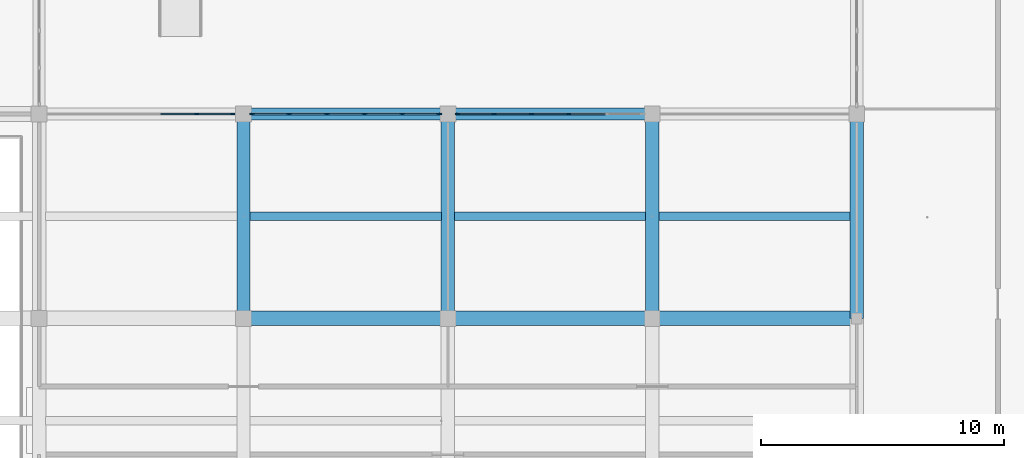
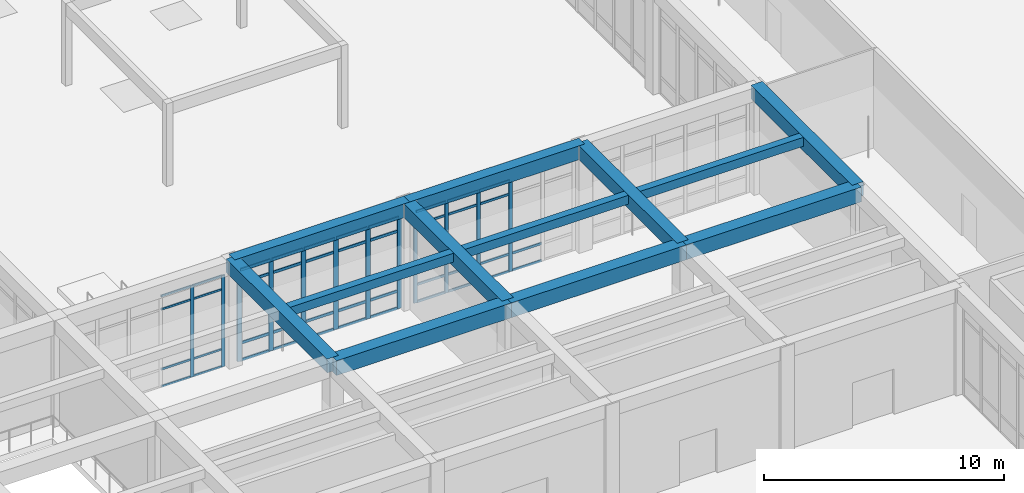
# One storey, part 15 of 167: 54 members, 12 beams, 3 elements without a shape of their own.
"""IFC4 building model written with IfcOpenShell, lengths in metres."""

from ifc_helpers import new_model, si_unit, direction, frame, origin, origin_2d, place, context, subcontext, project, spatial, rectangle, extrude, material, material_profile, profile_set, type_object, element, aggregate, save


model = new_model("IFC4")

# Units and contexts
model_context = context("Model", 3, precision=1e-05, world=origin(), true_north=direction((0.0, 1.0)))
body_context = subcontext(model_context, "Body", "Model", "MODEL_VIEW")
ifc_project = project(units=[si_unit("LENGTHUNIT", "METRE"), si_unit("AREAUNIT", "SQUARE_METRE"), si_unit("VOLUMEUNIT", "CUBIC_METRE"), si_unit("PLANEANGLEUNIT", "RADIAN"), si_unit("MASSUNIT", "GRAM", prefix="KILO")], contexts=[model_context])

# Site, building, storey
site_placement = place(None, origin())
site = spatial("IfcSite", under=ifc_project, at=site_placement, CompositionType="ELEMENT")
building_placement = place(site_placement, origin())
building = spatial("IfcBuilding", under=site, at=building_placement, Name="Varncliffe General Hospital", CompositionType="ELEMENT")
storey_placement = place(building_placement, origin())
storey = spatial("IfcBuildingStorey", under=building, at=storey_placement, Name="L00", CompositionType="ELEMENT", Elevation=0.0)

# Beams
ifc_material_1 = material(Name="Concrete C35/45 (CSA A23.1 35 MPa)", Category="concrete")
ifc_material_profile_1 = material_profile(ifc_material_1, rectangle(XDim=0.60009765625, YDim=0.75, at=origin_2d()), Name="RC 600x750")
ifc_profile_set_1 = profile_set([ifc_material_profile_1], Name="Concrete C35/45 (CSA A23.1 35 MPa)")
beam_type_1 = type_object("IfcBeamType", Name="Beam B23 (Int RC 600x750)", PredefinedType="BEAM", material=ifc_profile_set_1)
for number, where, z_axis, x_axis, name in (
    (1, (33.60009765625, 32.39990234375, 5.02490234375), (1.0, 0.0, 0.0), (0.0, 1.0, 0.0), "L00 Primary Beam B23-44"),
    (2, (42.0, 32.39990234375, 5.02490234375), (1.0, 0.0, 0.0), (0.0, 1.0, 0.0), "L00 Primary Beam B23-45"),
):
    element("IfcBeam", number, at=place(storey_placement, frame(where, z_axis=z_axis, x_axis=x_axis)), inside=storey, type_object=beam_type_1, Name=name, PredefinedType="BEAM", context=body_context, shape_type="SweptSolid", body=[
        extrude(rectangle(XDim=0.60009765625, YDim=0.75, at=origin_2d()), origin(), (0.0, 0.0, 1.0), 8.39990234375),
    ])
beam_placement = place(storey_placement, frame((50.39990234375, 32.39990234375, 5.02490234375), z_axis=(1.0, 0.0, 0.0), x_axis=(0.0, 1.0, 0.0)))
element("IfcBeam", 3, at=beam_placement, inside=storey, type_object=beam_type_1, Name="L00 Primary Beam B23-46", PredefinedType="BEAM", context=body_context, shape_type="SweptSolid", body=[
    extrude(rectangle(XDim=0.60009765625, YDim=0.75, at=origin_2d()), origin(), (0.0, 0.0, 1.0), 8.400146484375),
])
ifc_material_profile_2 = material_profile(ifc_material_1, rectangle(XDim=0.550048828125, YDim=0.699951171875, at=origin_2d()), Name="RC 550x700")
ifc_profile_set_2 = profile_set([ifc_material_profile_2], Name="Concrete C35/45 (CSA A23.1 35 MPa)")
beam_type_2 = type_object("IfcBeamType", Name="Beam B35 (Int RC 550x700)", PredefinedType="BEAM", material=ifc_profile_set_2)
for number, where, z_axis, x_axis, name in (
    (4, (33.60009765625, 32.39990234375, 5.050048828125), (0.0, 1.0, 0.0), (-1.0, 0.0, 0.0), "L00 Primary Beam B35-326"),
    (5, (42.0, 32.39990234375, 5.050048828125), (0.0, 1.0, 0.0), (-1.0, 0.0, 0.0), "L00 Primary Beam B35-335"),
    (6, (50.39990234375, 32.39990234375, 5.050048828125), (0.0, 1.0, 0.0), (-1.0, 0.0, 0.0), "L00 Primary Beam B35-344"),
    (7, (58.800048828125, 32.39990234375, 5.050048828125), (0.0, 1.0, 0.0), (-1.0, 0.0, 0.0), "L00 Primary Beam B35-355"),
):
    element("IfcBeam", number, at=place(storey_placement, frame(where, z_axis=z_axis, x_axis=x_axis)), inside=storey, type_object=beam_type_2, Name=name, PredefinedType="BEAM", context=body_context, shape_type="SweptSolid", body=[
        extrude(rectangle(XDim=0.550048828125, YDim=0.699951171875, at=origin_2d()), origin(), (0.0, 0.0, 1.0), 8.400146484375),
    ])

# Curtain wall, members
ifc_material_2 = material(Name="Triple low-E argon insulated vision glazing", Category="glass")
curtain_wall_type_1 = type_object("IfcCurtainWallType", Name="Unitised Glazed Curtain Wall CW15 (7674x4640)", PredefinedType="USERDEFINED", material=ifc_material_2)
curtain_wall_1_placement = place(storey_placement, origin())
curtain_wall_1 = element("IfcCurtainWall", 8, at=curtain_wall_1_placement, inside=storey, type_object=curtain_wall_type_1, Name="L00 Glazed Curtain Wall CW15-19", ObjectType="GLAZED CURTAIN WALL", PredefinedType="USERDEFINED")
ifc_material_3 = material(Name="Dark bronze thermally broken aluminium framing", Category="aluminium")
ifc_material_profile_3 = material_profile(ifc_material_3, rectangle(XDim=0.074951171875, YDim=0.179931640625, at=origin_2d()), Name="ALU 75x180")
ifc_profile_set_3 = profile_set([ifc_material_profile_3], Name="Dark bronze thermally broken aluminium framing")
member_type_1 = type_object("IfcMemberType", Name="Curtain Wall Mullion CM44 (ALU 75x180)", PredefinedType="MULLION", material=ifc_profile_set_3)
member_1_placement = place(storey_placement, frame((42.400390625, 40.800048828125, 0.0), z_axis=(0.0, 0.0, 1.0), x_axis=(0.0, 1.0, 0.0)))
member_1 = element("IfcMember", 9, at=member_1_placement, type_object=member_type_1, Name="CW15 mullion 1", PredefinedType="MULLION", context=body_context, shape_type="SweptSolid", body=[
    extrude(rectangle(XDim=0.074951171875, YDim=0.179931640625, at=origin_2d()), origin(), (0.0, 0.0, 1.0), 4.639892578125),
])
member_2_placement = place(storey_placement, frame((43.897705078125, 40.800048828125, 0.0), z_axis=(0.0, 0.0, 1.0), x_axis=(0.0, 1.0, 0.0)))
member_2 = element("IfcMember", 10, at=member_2_placement, type_object=member_type_1, Name="CW15 mullion 2", PredefinedType="MULLION", context=body_context, shape_type="SweptSolid", body=[
    extrude(rectangle(XDim=0.074951171875, YDim=0.179931640625, at=origin_2d()), origin(), (0.0, 0.0, 1.0), 4.639892578125),
])
member_3_placement = place(storey_placement, frame((45.4326171875, 40.800048828125, 0.0), z_axis=(0.0, 0.0, 1.0), x_axis=(0.0, 1.0, 0.0)))
member_3 = element("IfcMember", 11, at=member_3_placement, type_object=member_type_1, Name="CW15 mullion 3", PredefinedType="MULLION", context=body_context, shape_type="SweptSolid", body=[
    extrude(rectangle(XDim=0.074951171875, YDim=0.179931640625, at=origin_2d()), origin(), (0.0, 0.0, 1.0), 4.639892578125),
])
member_4_placement = place(storey_placement, frame((46.96728515625, 40.800048828125, 0.0), z_axis=(0.0, 0.0, 1.0), x_axis=(0.0, 1.0, 0.0)))
member_4 = element("IfcMember", 12, at=member_4_placement, type_object=member_type_1, Name="CW15 mullion 4", PredefinedType="MULLION", context=body_context, shape_type="SweptSolid", body=[
    extrude(rectangle(XDim=0.074951171875, YDim=0.179931640625, at=origin_2d()), origin(), (0.0, 0.0, 1.0), 4.639892578125),
])

curtain_wall_type_2 = type_object("IfcCurtainWallType", Name="Unitised Glazed Curtain Wall CW26 (7594x4640)", PredefinedType="USERDEFINED", material=ifc_material_2)
curtain_wall_2_placement = place(storey_placement, origin())
curtain_wall_2 = element("IfcCurtainWall", 13, at=curtain_wall_2_placement, inside=storey, type_object=curtain_wall_type_2, Name="L00 Glazed Curtain Wall CW26-17", ObjectType="GLAZED CURTAIN WALL", PredefinedType="USERDEFINED")
ifc_material_profile_4 = material_profile(ifc_material_3, rectangle(XDim=0.06494140625, YDim=0.159912109375, at=origin_2d()), Name="ALU 65x160")
ifc_profile_set_4 = profile_set([ifc_material_profile_4], Name="Dark bronze thermally broken aluminium framing")
member_type_2 = type_object("IfcMemberType", Name="Curtain Wall Mullion CM65 (ALU 65x160)", PredefinedType="MULLION", material=ifc_profile_set_4)
member_5_placement = place(storey_placement, frame((31.67822265625, 40.800048828125, 0.0), z_axis=(0.0, 0.0, 1.0), x_axis=(0.0, 1.0, 0.0)))
member_5 = element("IfcMember", 14, at=member_5_placement, type_object=member_type_2, Name="CW26 mullion 5", PredefinedType="MULLION", context=body_context, shape_type="SweptSolid", body=[
    extrude(rectangle(XDim=0.06494140625, YDim=0.159912109375, at=origin_2d()), origin(), (0.0, 0.0, 1.0), 4.639892578125),
])
member_6_placement = place(storey_placement, frame((33.16455078125, 40.800048828125, 0.0), z_axis=(0.0, 0.0, 1.0), x_axis=(0.0, 1.0, 0.0)))
member_6 = element("IfcMember", 15, at=member_6_placement, type_object=member_type_2, Name="CW26 mullion 6", PredefinedType="MULLION", context=body_context, shape_type="SweptSolid", body=[
    extrude(rectangle(XDim=0.06494140625, YDim=0.159912109375, at=origin_2d()), origin(), (0.0, 0.0, 1.0), 4.639892578125),
])

curtain_wall_type_3 = type_object("IfcCurtainWallType", Name="Unitised Glazed Curtain Wall CW66 (7754x4640)", PredefinedType="USERDEFINED", material=ifc_material_2)
curtain_wall_3_placement = place(storey_placement, origin())
curtain_wall_3 = element("IfcCurtainWall", 16, at=curtain_wall_3_placement, inside=storey, type_object=curtain_wall_type_3, Name="L00 Glazed Curtain Wall CW66-18", ObjectType="GLAZED CURTAIN WALL", PredefinedType="USERDEFINED")
ifc_material_profile_5 = material_profile(ifc_material_3, rectangle(XDim=0.074951171875, YDim=0.219970703125, at=origin_2d()), Name="ALU 75x220")
ifc_profile_set_5 = profile_set([ifc_material_profile_5], Name="Dark bronze thermally broken aluminium framing")
member_type_3 = type_object("IfcMemberType", Name="Curtain Wall Mullion CM74 (ALU 75x220)", PredefinedType="MULLION", material=ifc_profile_set_5)
member_7_placement = place(storey_placement, frame((33.96044921875, 40.800048828125, 0.0), z_axis=(0.0, 0.0, 1.0), x_axis=(0.0, 1.0, 0.0)))
member_7 = element("IfcMember", 17, at=member_7_placement, type_object=member_type_3, Name="CW66 mullion 1", PredefinedType="MULLION", context=body_context, shape_type="SweptSolid", body=[
    extrude(rectangle(XDim=0.074951171875, YDim=0.219970703125, at=origin_2d()), origin(), (0.0, 0.0, 1.0), 4.639892578125),
])
member_8_placement = place(storey_placement, frame((35.473876953125, 40.800048828125, 0.0), z_axis=(0.0, 0.0, 1.0), x_axis=(0.0, 1.0, 0.0)))
member_8 = element("IfcMember", 18, at=member_8_placement, type_object=member_type_3, Name="CW66 mullion 2", PredefinedType="MULLION", context=body_context, shape_type="SweptSolid", body=[
    extrude(rectangle(XDim=0.074951171875, YDim=0.219970703125, at=origin_2d()), origin(), (0.0, 0.0, 1.0), 4.639892578125),
])
member_9_placement = place(storey_placement, frame((37.024658203125, 40.800048828125, 0.0), z_axis=(0.0, 0.0, 1.0), x_axis=(0.0, 1.0, 0.0)))
member_9 = element("IfcMember", 19, at=member_9_placement, type_object=member_type_3, Name="CW66 mullion 3", PredefinedType="MULLION", context=body_context, shape_type="SweptSolid", body=[
    extrude(rectangle(XDim=0.074951171875, YDim=0.219970703125, at=origin_2d()), origin(), (0.0, 0.0, 1.0), 4.639892578125),
])
member_10_placement = place(storey_placement, frame((38.575439453125, 40.800048828125, 0.0), z_axis=(0.0, 0.0, 1.0), x_axis=(0.0, 1.0, 0.0)))
member_10 = element("IfcMember", 20, at=member_10_placement, type_object=member_type_3, Name="CW66 mullion 4", PredefinedType="MULLION", context=body_context, shape_type="SweptSolid", body=[
    extrude(rectangle(XDim=0.074951171875, YDim=0.219970703125, at=origin_2d()), origin(), (0.0, 0.0, 1.0), 4.639892578125),
])
member_11_placement = place(storey_placement, frame((40.126220703125, 40.800048828125, 0.0), z_axis=(0.0, 0.0, 1.0), x_axis=(0.0, 1.0, 0.0)))
member_11 = element("IfcMember", 21, at=member_11_placement, type_object=member_type_3, Name="CW66 mullion 5", PredefinedType="MULLION", context=body_context, shape_type="SweptSolid", body=[
    extrude(rectangle(XDim=0.074951171875, YDim=0.219970703125, at=origin_2d()), origin(), (0.0, 0.0, 1.0), 4.639892578125),
])
member_12_placement = place(storey_placement, frame((41.639404296875, 40.800048828125, 0.0), z_axis=(0.0, 0.0, 1.0), x_axis=(0.0, 1.0, 0.0)))
member_12 = element("IfcMember", 22, at=member_12_placement, type_object=member_type_3, Name="CW66 mullion 6", PredefinedType="MULLION", context=body_context, shape_type="SweptSolid", body=[
    extrude(rectangle(XDim=0.074951171875, YDim=0.219970703125, at=origin_2d()), origin(), (0.0, 0.0, 1.0), 4.639892578125),
])

# Member
ifc_material_profile_6 = material_profile(ifc_material_3, rectangle(XDim=0.06005859375, YDim=0.1201171875, at=origin_2d()), Name="ALU 60x120")
ifc_profile_set_6 = profile_set([ifc_material_profile_6], Name="Dark bronze thermally broken aluminium framing")
member_type_4 = type_object("IfcMemberType", Name="Curtain Wall Transom CT14 (ALU 60x120)", PredefinedType="USERDEFINED", material=ifc_profile_set_6)
member_13_placement = place(storey_placement, frame((42.43798828125, 40.800048828125, 0.030029296875), z_axis=(1.0, 0.0, 0.0), x_axis=(0.0, 1.0, 0.0)))
member_13 = element("IfcMember", 23, at=member_13_placement, type_object=member_type_4, Name="CW15 transom 1.1", ObjectType="TRANSOM", PredefinedType="USERDEFINED", context=body_context, shape_type="SweptSolid", body=[
    extrude(rectangle(XDim=0.06005859375, YDim=0.1201171875, at=origin_2d()), origin(), (0.0, 0.0, 1.0), 1.42236328125),
])

member_14_placement = place(storey_placement, frame((42.43798828125, 40.800048828125, 0.89990234375), z_axis=(1.0, 0.0, 0.0), x_axis=(0.0, 1.0, 0.0)))
member_14 = element("IfcMember", 24, at=member_14_placement, type_object=member_type_4, Name="CW15 transom 1.2", ObjectType="TRANSOM", PredefinedType="USERDEFINED", context=body_context, shape_type="SweptSolid", body=[
    extrude(rectangle(XDim=0.06005859375, YDim=0.1201171875, at=origin_2d()), origin(), (0.0, 0.0, 1.0), 1.42236328125),
])

member_15_placement = place(storey_placement, frame((42.43798828125, 40.800048828125, 3.93994140625), z_axis=(1.0, 0.0, 0.0), x_axis=(0.0, 1.0, 0.0)))
member_15 = element("IfcMember", 25, at=member_15_placement, type_object=member_type_4, Name="CW15 transom 1.3", ObjectType="TRANSOM", PredefinedType="USERDEFINED", context=body_context, shape_type="SweptSolid", body=[
    extrude(rectangle(XDim=0.06005859375, YDim=0.1201171875, at=origin_2d()), origin(), (0.0, 0.0, 1.0), 1.42236328125),
])

member_16_placement = place(storey_placement, frame((42.43798828125, 40.800048828125, 4.610107421875), z_axis=(1.0, 0.0, 0.0), x_axis=(0.0, 1.0, 0.0)))
member_16 = element("IfcMember", 26, at=member_16_placement, type_object=member_type_4, Name="CW15 transom 1.4", ObjectType="TRANSOM", PredefinedType="USERDEFINED", context=body_context, shape_type="SweptSolid", body=[
    extrude(rectangle(XDim=0.06005859375, YDim=0.1201171875, at=origin_2d()), origin(), (0.0, 0.0, 1.0), 1.42236328125),
])

member_17_placement = place(storey_placement, frame((43.935302734375, 40.800048828125, 0.030029296875), z_axis=(1.0, 0.0, 0.0), x_axis=(0.0, 1.0, 0.0)))
member_17 = element("IfcMember", 27, at=member_17_placement, type_object=member_type_4, Name="CW15 transom 2.1", ObjectType="TRANSOM", PredefinedType="USERDEFINED", context=body_context, shape_type="SweptSolid", body=[
    extrude(rectangle(XDim=0.06005859375, YDim=0.1201171875, at=origin_2d()), origin(), (0.0, 0.0, 1.0), 1.459716796875),
])

member_18_placement = place(storey_placement, frame((43.935302734375, 40.800048828125, 0.89990234375), z_axis=(1.0, 0.0, 0.0), x_axis=(0.0, 1.0, 0.0)))
member_18 = element("IfcMember", 28, at=member_18_placement, type_object=member_type_4, Name="CW15 transom 2.2", ObjectType="TRANSOM", PredefinedType="USERDEFINED", context=body_context, shape_type="SweptSolid", body=[
    extrude(rectangle(XDim=0.06005859375, YDim=0.1201171875, at=origin_2d()), origin(), (0.0, 0.0, 1.0), 1.459716796875),
])

member_19_placement = place(storey_placement, frame((43.935302734375, 40.800048828125, 3.93994140625), z_axis=(1.0, 0.0, 0.0), x_axis=(0.0, 1.0, 0.0)))
member_19 = element("IfcMember", 29, at=member_19_placement, type_object=member_type_4, Name="CW15 transom 2.3", ObjectType="TRANSOM", PredefinedType="USERDEFINED", context=body_context, shape_type="SweptSolid", body=[
    extrude(rectangle(XDim=0.06005859375, YDim=0.1201171875, at=origin_2d()), origin(), (0.0, 0.0, 1.0), 1.459716796875),
])

member_20_placement = place(storey_placement, frame((43.935302734375, 40.800048828125, 4.610107421875), z_axis=(1.0, 0.0, 0.0), x_axis=(0.0, 1.0, 0.0)))
member_20 = element("IfcMember", 30, at=member_20_placement, type_object=member_type_4, Name="CW15 transom 2.4", ObjectType="TRANSOM", PredefinedType="USERDEFINED", context=body_context, shape_type="SweptSolid", body=[
    extrude(rectangle(XDim=0.06005859375, YDim=0.1201171875, at=origin_2d()), origin(), (0.0, 0.0, 1.0), 1.459716796875),
])

member_21_placement = place(storey_placement, frame((45.47021484375, 40.800048828125, 0.030029296875), z_axis=(1.0, 0.0, 0.0), x_axis=(0.0, 1.0, 0.0)))
member_21 = element("IfcMember", 31, at=member_21_placement, type_object=member_type_4, Name="CW15 transom 3.1", ObjectType="TRANSOM", PredefinedType="USERDEFINED", context=body_context, shape_type="SweptSolid", body=[
    extrude(rectangle(XDim=0.06005859375, YDim=0.1201171875, at=origin_2d()), origin(), (0.0, 0.0, 1.0), 1.459716796875),
])

member_22_placement = place(storey_placement, frame((45.47021484375, 40.800048828125, 0.89990234375), z_axis=(1.0, 0.0, 0.0), x_axis=(0.0, 1.0, 0.0)))
member_22 = element("IfcMember", 32, at=member_22_placement, type_object=member_type_4, Name="CW15 transom 3.2", ObjectType="TRANSOM", PredefinedType="USERDEFINED", context=body_context, shape_type="SweptSolid", body=[
    extrude(rectangle(XDim=0.06005859375, YDim=0.1201171875, at=origin_2d()), origin(), (0.0, 0.0, 1.0), 1.459716796875),
])

member_23_placement = place(storey_placement, frame((45.47021484375, 40.800048828125, 3.93994140625), z_axis=(1.0, 0.0, 0.0), x_axis=(0.0, 1.0, 0.0)))
member_23 = element("IfcMember", 33, at=member_23_placement, type_object=member_type_4, Name="CW15 transom 3.3", ObjectType="TRANSOM", PredefinedType="USERDEFINED", context=body_context, shape_type="SweptSolid", body=[
    extrude(rectangle(XDim=0.06005859375, YDim=0.1201171875, at=origin_2d()), origin(), (0.0, 0.0, 1.0), 1.459716796875),
])

member_24_placement = place(storey_placement, frame((45.47021484375, 40.800048828125, 4.610107421875), z_axis=(1.0, 0.0, 0.0), x_axis=(0.0, 1.0, 0.0)))
member_24 = element("IfcMember", 34, at=member_24_placement, type_object=member_type_4, Name="CW15 transom 3.4", ObjectType="TRANSOM", PredefinedType="USERDEFINED", context=body_context, shape_type="SweptSolid", body=[
    extrude(rectangle(XDim=0.06005859375, YDim=0.1201171875, at=origin_2d()), origin(), (0.0, 0.0, 1.0), 1.459716796875),
])

member_25_placement = place(storey_placement, frame((47.0048828125, 40.800048828125, 0.030029296875), z_axis=(1.0, 0.0, 0.0), x_axis=(0.0, 1.0, 0.0)))
member_25 = element("IfcMember", 35, at=member_25_placement, type_object=member_type_4, Name="CW15 transom 4.1", ObjectType="TRANSOM", PredefinedType="USERDEFINED", context=body_context, shape_type="SweptSolid", body=[
    extrude(rectangle(XDim=0.06005859375, YDim=0.1201171875, at=origin_2d()), origin(), (0.0, 0.0, 1.0), 1.459716796875),
])

member_26_placement = place(storey_placement, frame((47.0048828125, 40.800048828125, 0.89990234375), z_axis=(1.0, 0.0, 0.0), x_axis=(0.0, 1.0, 0.0)))
member_26 = element("IfcMember", 36, at=member_26_placement, type_object=member_type_4, Name="CW15 transom 4.2", ObjectType="TRANSOM", PredefinedType="USERDEFINED", context=body_context, shape_type="SweptSolid", body=[
    extrude(rectangle(XDim=0.06005859375, YDim=0.1201171875, at=origin_2d()), origin(), (0.0, 0.0, 1.0), 1.459716796875),
])

aggregate(curtain_wall_1, [member_1, member_2, member_3, member_4, member_13, member_14, member_15, member_16, member_17, member_18, member_19, member_20, member_21, member_22, member_23, member_24, member_25, member_26])

ifc_material_profile_7 = material_profile(ifc_material_3, rectangle(XDim=0.06005859375, YDim=0.10009765625, at=origin_2d()), Name="ALU 60x100")
ifc_profile_set_7 = profile_set([ifc_material_profile_7], Name="Dark bronze thermally broken aluminium framing")
member_type_5 = type_object("IfcMemberType", Name="Curtain Wall Transom CT18 (ALU 60x100)", PredefinedType="USERDEFINED", material=ifc_profile_set_7)
member_27_placement = place(storey_placement, frame((30.19189453125, 40.800048828125, 0.030029296875), z_axis=(1.0, 0.0, 0.0), x_axis=(0.0, 1.0, 0.0)))
member_27 = element("IfcMember", 37, at=member_27_placement, type_object=member_type_5, Name="CW26 transom 4.1", ObjectType="TRANSOM", PredefinedType="USERDEFINED", context=body_context, shape_type="SweptSolid", body=[
    extrude(rectangle(XDim=0.06005859375, YDim=0.10009765625, at=origin_2d()), origin(), (0.0, 0.0, 1.0), 1.453857421875),
])

member_28_placement = place(storey_placement, frame((30.19189453125, 40.800048828125, 0.89990234375), z_axis=(1.0, 0.0, 0.0), x_axis=(0.0, 1.0, 0.0)))
member_28 = element("IfcMember", 38, at=member_28_placement, type_object=member_type_5, Name="CW26 transom 4.2", ObjectType="TRANSOM", PredefinedType="USERDEFINED", context=body_context, shape_type="SweptSolid", body=[
    extrude(rectangle(XDim=0.06005859375, YDim=0.10009765625, at=origin_2d()), origin(), (0.0, 0.0, 1.0), 1.453857421875),
])

member_29_placement = place(storey_placement, frame((30.19189453125, 40.800048828125, 3.93994140625), z_axis=(1.0, 0.0, 0.0), x_axis=(0.0, 1.0, 0.0)))
member_29 = element("IfcMember", 39, at=member_29_placement, type_object=member_type_5, Name="CW26 transom 4.3", ObjectType="TRANSOM", PredefinedType="USERDEFINED", context=body_context, shape_type="SweptSolid", body=[
    extrude(rectangle(XDim=0.06005859375, YDim=0.10009765625, at=origin_2d()), origin(), (0.0, 0.0, 1.0), 1.453857421875),
])

member_30_placement = place(storey_placement, frame((30.19189453125, 40.800048828125, 4.610107421875), z_axis=(1.0, 0.0, 0.0), x_axis=(0.0, 1.0, 0.0)))
member_30 = element("IfcMember", 40, at=member_30_placement, type_object=member_type_5, Name="CW26 transom 4.4", ObjectType="TRANSOM", PredefinedType="USERDEFINED", context=body_context, shape_type="SweptSolid", body=[
    extrude(rectangle(XDim=0.06005859375, YDim=0.10009765625, at=origin_2d()), origin(), (0.0, 0.0, 1.0), 1.453857421875),
])

member_31_placement = place(storey_placement, frame((31.710693359375, 40.800048828125, 0.030029296875), z_axis=(1.0, 0.0, 0.0), x_axis=(0.0, 1.0, 0.0)))
member_31 = element("IfcMember", 41, at=member_31_placement, type_object=member_type_5, Name="CW26 transom 5.1", ObjectType="TRANSOM", PredefinedType="USERDEFINED", context=body_context, shape_type="SweptSolid", body=[
    extrude(rectangle(XDim=0.06005859375, YDim=0.10009765625, at=origin_2d()), origin(), (0.0, 0.0, 1.0), 1.42138671875),
])

member_32_placement = place(storey_placement, frame((31.710693359375, 40.800048828125, 0.89990234375), z_axis=(1.0, 0.0, 0.0), x_axis=(0.0, 1.0, 0.0)))
member_32 = element("IfcMember", 42, at=member_32_placement, type_object=member_type_5, Name="CW26 transom 5.2", ObjectType="TRANSOM", PredefinedType="USERDEFINED", context=body_context, shape_type="SweptSolid", body=[
    extrude(rectangle(XDim=0.06005859375, YDim=0.10009765625, at=origin_2d()), origin(), (0.0, 0.0, 1.0), 1.42138671875),
])

member_33_placement = place(storey_placement, frame((31.710693359375, 40.800048828125, 3.93994140625), z_axis=(1.0, 0.0, 0.0), x_axis=(0.0, 1.0, 0.0)))
member_33 = element("IfcMember", 43, at=member_33_placement, type_object=member_type_5, Name="CW26 transom 5.3", ObjectType="TRANSOM", PredefinedType="USERDEFINED", context=body_context, shape_type="SweptSolid", body=[
    extrude(rectangle(XDim=0.06005859375, YDim=0.10009765625, at=origin_2d()), origin(), (0.0, 0.0, 1.0), 1.42138671875),
])

member_34_placement = place(storey_placement, frame((31.710693359375, 40.800048828125, 4.610107421875), z_axis=(1.0, 0.0, 0.0), x_axis=(0.0, 1.0, 0.0)))
member_34 = element("IfcMember", 44, at=member_34_placement, type_object=member_type_5, Name="CW26 transom 5.4", ObjectType="TRANSOM", PredefinedType="USERDEFINED", context=body_context, shape_type="SweptSolid", body=[
    extrude(rectangle(XDim=0.06005859375, YDim=0.10009765625, at=origin_2d()), origin(), (0.0, 0.0, 1.0), 1.42138671875),
])

aggregate(curtain_wall_2, [member_5, member_6, member_27, member_28, member_29, member_30, member_31, member_32, member_33, member_34])

ifc_material_profile_8 = material_profile(ifc_material_3, rectangle(XDim=0.06494140625, YDim=0.139892578125, at=origin_2d()), Name="ALU 65x140")
ifc_profile_set_8 = profile_set([ifc_material_profile_8], Name="Dark bronze thermally broken aluminium framing")
member_type_6 = type_object("IfcMemberType", Name="Curtain Wall Transom CT69 (ALU 65x140)", PredefinedType="USERDEFINED", material=ifc_profile_set_8)
member_35_placement = place(storey_placement, frame((33.998046875, 40.800048828125, 0.032470703125), z_axis=(1.0, 0.0, 0.0), x_axis=(0.0, 1.0, 0.0)))
member_35 = element("IfcMember", 45, at=member_35_placement, type_object=member_type_6, Name="CW66 transom 1.1", ObjectType="TRANSOM", PredefinedType="USERDEFINED", context=body_context, shape_type="SweptSolid", body=[
    extrude(rectangle(XDim=0.06494140625, YDim=0.139892578125, at=origin_2d()), origin(), (0.0, 0.0, 1.0), 1.438232421875),
])

member_36_placement = place(storey_placement, frame((33.998046875, 40.800048828125, 0.89990234375), z_axis=(1.0, 0.0, 0.0), x_axis=(0.0, 1.0, 0.0)))
member_36 = element("IfcMember", 46, at=member_36_placement, type_object=member_type_6, Name="CW66 transom 1.2", ObjectType="TRANSOM", PredefinedType="USERDEFINED", context=body_context, shape_type="SweptSolid", body=[
    extrude(rectangle(XDim=0.06494140625, YDim=0.139892578125, at=origin_2d()), origin(), (0.0, 0.0, 1.0), 1.438232421875),
])

member_37_placement = place(storey_placement, frame((33.998046875, 40.800048828125, 3.93994140625), z_axis=(1.0, 0.0, 0.0), x_axis=(0.0, 1.0, 0.0)))
member_37 = element("IfcMember", 47, at=member_37_placement, type_object=member_type_6, Name="CW66 transom 1.3", ObjectType="TRANSOM", PredefinedType="USERDEFINED", context=body_context, shape_type="SweptSolid", body=[
    extrude(rectangle(XDim=0.06494140625, YDim=0.139892578125, at=origin_2d()), origin(), (0.0, 0.0, 1.0), 1.438232421875),
])

member_38_placement = place(storey_placement, frame((33.998046875, 40.800048828125, 4.607421875), z_axis=(1.0, 0.0, 0.0), x_axis=(0.0, 1.0, 0.0)))
member_38 = element("IfcMember", 48, at=member_38_placement, type_object=member_type_6, Name="CW66 transom 1.4", ObjectType="TRANSOM", PredefinedType="USERDEFINED", context=body_context, shape_type="SweptSolid", body=[
    extrude(rectangle(XDim=0.06494140625, YDim=0.139892578125, at=origin_2d()), origin(), (0.0, 0.0, 1.0), 1.438232421875),
])

member_39_placement = place(storey_placement, frame((35.51123046875, 40.800048828125, 0.032470703125), z_axis=(1.0, 0.0, 0.0), x_axis=(0.0, 1.0, 0.0)))
member_39 = element("IfcMember", 49, at=member_39_placement, type_object=member_type_6, Name="CW66 transom 2.1", ObjectType="TRANSOM", PredefinedType="USERDEFINED", context=body_context, shape_type="SweptSolid", body=[
    extrude(rectangle(XDim=0.06494140625, YDim=0.139892578125, at=origin_2d()), origin(), (0.0, 0.0, 1.0), 1.475830078125),
])

member_40_placement = place(storey_placement, frame((35.51123046875, 40.800048828125, 0.89990234375), z_axis=(1.0, 0.0, 0.0), x_axis=(0.0, 1.0, 0.0)))
member_40 = element("IfcMember", 50, at=member_40_placement, type_object=member_type_6, Name="CW66 transom 2.2", ObjectType="TRANSOM", PredefinedType="USERDEFINED", context=body_context, shape_type="SweptSolid", body=[
    extrude(rectangle(XDim=0.06494140625, YDim=0.139892578125, at=origin_2d()), origin(), (0.0, 0.0, 1.0), 1.475830078125),
])

member_41_placement = place(storey_placement, frame((35.51123046875, 40.800048828125, 3.93994140625), z_axis=(1.0, 0.0, 0.0), x_axis=(0.0, 1.0, 0.0)))
member_41 = element("IfcMember", 51, at=member_41_placement, type_object=member_type_6, Name="CW66 transom 2.3", ObjectType="TRANSOM", PredefinedType="USERDEFINED", context=body_context, shape_type="SweptSolid", body=[
    extrude(rectangle(XDim=0.06494140625, YDim=0.139892578125, at=origin_2d()), origin(), (0.0, 0.0, 1.0), 1.475830078125),
])

member_42_placement = place(storey_placement, frame((35.51123046875, 40.800048828125, 4.607421875), z_axis=(1.0, 0.0, 0.0), x_axis=(0.0, 1.0, 0.0)))
member_42 = element("IfcMember", 52, at=member_42_placement, type_object=member_type_6, Name="CW66 transom 2.4", ObjectType="TRANSOM", PredefinedType="USERDEFINED", context=body_context, shape_type="SweptSolid", body=[
    extrude(rectangle(XDim=0.06494140625, YDim=0.139892578125, at=origin_2d()), origin(), (0.0, 0.0, 1.0), 1.475830078125),
])

member_43_placement = place(storey_placement, frame((37.06201171875, 40.800048828125, 0.032470703125), z_axis=(1.0, 0.0, 0.0), x_axis=(0.0, 1.0, 0.0)))
member_43 = element("IfcMember", 53, at=member_43_placement, type_object=member_type_6, Name="CW66 transom 3.1", ObjectType="TRANSOM", PredefinedType="USERDEFINED", context=body_context, shape_type="SweptSolid", body=[
    extrude(rectangle(XDim=0.06494140625, YDim=0.139892578125, at=origin_2d()), origin(), (0.0, 0.0, 1.0), 1.475830078125),
])

member_44_placement = place(storey_placement, frame((37.06201171875, 40.800048828125, 0.89990234375), z_axis=(1.0, 0.0, 0.0), x_axis=(0.0, 1.0, 0.0)))
member_44 = element("IfcMember", 54, at=member_44_placement, type_object=member_type_6, Name="CW66 transom 3.2", ObjectType="TRANSOM", PredefinedType="USERDEFINED", context=body_context, shape_type="SweptSolid", body=[
    extrude(rectangle(XDim=0.06494140625, YDim=0.139892578125, at=origin_2d()), origin(), (0.0, 0.0, 1.0), 1.475830078125),
])

member_45_placement = place(storey_placement, frame((37.06201171875, 40.800048828125, 3.93994140625), z_axis=(1.0, 0.0, 0.0), x_axis=(0.0, 1.0, 0.0)))
member_45 = element("IfcMember", 55, at=member_45_placement, type_object=member_type_6, Name="CW66 transom 3.3", ObjectType="TRANSOM", PredefinedType="USERDEFINED", context=body_context, shape_type="SweptSolid", body=[
    extrude(rectangle(XDim=0.06494140625, YDim=0.139892578125, at=origin_2d()), origin(), (0.0, 0.0, 1.0), 1.475830078125),
])

member_46_placement = place(storey_placement, frame((37.06201171875, 40.800048828125, 4.607421875), z_axis=(1.0, 0.0, 0.0), x_axis=(0.0, 1.0, 0.0)))
member_46 = element("IfcMember", 56, at=member_46_placement, type_object=member_type_6, Name="CW66 transom 3.4", ObjectType="TRANSOM", PredefinedType="USERDEFINED", context=body_context, shape_type="SweptSolid", body=[
    extrude(rectangle(XDim=0.06494140625, YDim=0.139892578125, at=origin_2d()), origin(), (0.0, 0.0, 1.0), 1.475830078125),
])

member_47_placement = place(storey_placement, frame((38.61279296875, 40.800048828125, 0.032470703125), z_axis=(1.0, 0.0, 0.0), x_axis=(0.0, 1.0, 0.0)))
member_47 = element("IfcMember", 57, at=member_47_placement, type_object=member_type_6, Name="CW66 transom 4.1", ObjectType="TRANSOM", PredefinedType="USERDEFINED", context=body_context, shape_type="SweptSolid", body=[
    extrude(rectangle(XDim=0.06494140625, YDim=0.139892578125, at=origin_2d()), origin(), (0.0, 0.0, 1.0), 1.475830078125),
])

member_48_placement = place(storey_placement, frame((38.61279296875, 40.800048828125, 0.89990234375), z_axis=(1.0, 0.0, 0.0), x_axis=(0.0, 1.0, 0.0)))
member_48 = element("IfcMember", 58, at=member_48_placement, type_object=member_type_6, Name="CW66 transom 4.2", ObjectType="TRANSOM", PredefinedType="USERDEFINED", context=body_context, shape_type="SweptSolid", body=[
    extrude(rectangle(XDim=0.06494140625, YDim=0.139892578125, at=origin_2d()), origin(), (0.0, 0.0, 1.0), 1.475830078125),
])

member_49_placement = place(storey_placement, frame((38.61279296875, 40.800048828125, 3.93994140625), z_axis=(1.0, 0.0, 0.0), x_axis=(0.0, 1.0, 0.0)))
member_49 = element("IfcMember", 59, at=member_49_placement, type_object=member_type_6, Name="CW66 transom 4.3", ObjectType="TRANSOM", PredefinedType="USERDEFINED", context=body_context, shape_type="SweptSolid", body=[
    extrude(rectangle(XDim=0.06494140625, YDim=0.139892578125, at=origin_2d()), origin(), (0.0, 0.0, 1.0), 1.475830078125),
])

member_50_placement = place(storey_placement, frame((38.61279296875, 40.800048828125, 4.607421875), z_axis=(1.0, 0.0, 0.0), x_axis=(0.0, 1.0, 0.0)))
member_50 = element("IfcMember", 60, at=member_50_placement, type_object=member_type_6, Name="CW66 transom 4.4", ObjectType="TRANSOM", PredefinedType="USERDEFINED", context=body_context, shape_type="SweptSolid", body=[
    extrude(rectangle(XDim=0.06494140625, YDim=0.139892578125, at=origin_2d()), origin(), (0.0, 0.0, 1.0), 1.475830078125),
])

member_51_placement = place(storey_placement, frame((40.163818359375, 40.800048828125, 0.032470703125), z_axis=(1.0, 0.0, 0.0), x_axis=(0.0, 1.0, 0.0)))
member_51 = element("IfcMember", 61, at=member_51_placement, type_object=member_type_6, Name="CW66 transom 5.1", ObjectType="TRANSOM", PredefinedType="USERDEFINED", context=body_context, shape_type="SweptSolid", body=[
    extrude(rectangle(XDim=0.06494140625, YDim=0.139892578125, at=origin_2d()), origin(), (0.0, 0.0, 1.0), 1.438232421875),
])

member_52_placement = place(storey_placement, frame((40.163818359375, 40.800048828125, 0.89990234375), z_axis=(1.0, 0.0, 0.0), x_axis=(0.0, 1.0, 0.0)))
member_52 = element("IfcMember", 62, at=member_52_placement, type_object=member_type_6, Name="CW66 transom 5.2", ObjectType="TRANSOM", PredefinedType="USERDEFINED", context=body_context, shape_type="SweptSolid", body=[
    extrude(rectangle(XDim=0.06494140625, YDim=0.139892578125, at=origin_2d()), origin(), (0.0, 0.0, 1.0), 1.438232421875),
])

member_53_placement = place(storey_placement, frame((40.163818359375, 40.800048828125, 3.93994140625), z_axis=(1.0, 0.0, 0.0), x_axis=(0.0, 1.0, 0.0)))
member_53 = element("IfcMember", 63, at=member_53_placement, type_object=member_type_6, Name="CW66 transom 5.3", ObjectType="TRANSOM", PredefinedType="USERDEFINED", context=body_context, shape_type="SweptSolid", body=[
    extrude(rectangle(XDim=0.06494140625, YDim=0.139892578125, at=origin_2d()), origin(), (0.0, 0.0, 1.0), 1.438232421875),
])

member_54_placement = place(storey_placement, frame((40.163818359375, 40.800048828125, 4.607421875), z_axis=(1.0, 0.0, 0.0), x_axis=(0.0, 1.0, 0.0)))
member_54 = element("IfcMember", 64, at=member_54_placement, type_object=member_type_6, Name="CW66 transom 5.4", ObjectType="TRANSOM", PredefinedType="USERDEFINED", context=body_context, shape_type="SweptSolid", body=[
    extrude(rectangle(XDim=0.06494140625, YDim=0.139892578125, at=origin_2d()), origin(), (0.0, 0.0, 1.0), 1.438232421875),
])

aggregate(curtain_wall_3, [member_7, member_8, member_9, member_10, member_11, member_12, member_35, member_36, member_37, member_38, member_39, member_40, member_41, member_42, member_43, member_44, member_45, member_46, member_47, member_48, member_49, member_50, member_51, member_52, member_53, member_54])

# Beams
ifc_material_profile_9 = material_profile(ifc_material_1, rectangle(XDim=0.35009765625, YDim=0.449951171875, at=origin_2d()), Name="RC 350x450")
ifc_profile_set_9 = profile_set([ifc_material_profile_9], Name="Concrete C35/45 (CSA A23.1 35 MPa)")
beam_type_3 = type_object("IfcBeamType", Name="Joist J55 (Int RC 350x450)", PredefinedType="JOIST", material=ifc_profile_set_9)
for number, where, z_axis, x_axis, name in (
    (65, (33.873046875, 36.60009765625, 5.175048828125), (1.0, 0.0, 0.0), (0.0, 1.0, 0.0), "L00 Secondary Floor Rib J55-19"),
    (66, (42.27294921875, 36.60009765625, 5.175048828125), (1.0, 0.0, 0.0), (0.0, 1.0, 0.0), "L00 Secondary Floor Rib J55-22"),
    (67, (50.673095703125, 36.60009765625, 5.175048828125), (1.0, 0.0, 0.0), (0.0, 1.0, 0.0), "L00 Secondary Floor Rib J55-26"),
):
    element("IfcBeam", number, at=place(storey_placement, frame(where, z_axis=z_axis, x_axis=x_axis)), inside=storey, type_object=beam_type_3, Name=name, PredefinedType="JOIST", context=body_context, shape_type="SweptSolid", body=[
        extrude(rectangle(XDim=0.35009765625, YDim=0.449951171875, at=origin_2d()), origin(), (0.0, 0.0, 1.0), 7.85400390625),
    ])
ifc_material_profile_10 = material_profile(ifc_material_1, rectangle(XDim=0.5, YDim=0.699951171875, at=origin_2d()), Name="RC 500x700")
ifc_profile_set_10 = profile_set([ifc_material_profile_10], Name="Concrete C35/45 (CSA A23.1 35 MPa)")
beam_type_4 = type_object("IfcBeamType", Name="Spandrel SP19 (Ext RC 500x700)", PredefinedType="SPANDREL", material=ifc_profile_set_10)
for number, where, z_axis, x_axis, name in (
    (68, (33.60009765625, 40.800048828125, 5.050048828125), (1.0, 0.0, 0.0), (0.0, 1.0, 0.0), "L00 Spandrel Beam SP19-57"),
    (69, (42.0, 40.800048828125, 5.050048828125), (1.0, 0.0, 0.0), (0.0, 1.0, 0.0), "L00 Spandrel Beam SP19-58"),
):
    element("IfcBeam", number, at=place(storey_placement, frame(where, z_axis=z_axis, x_axis=x_axis)), inside=storey, type_object=beam_type_4, Name=name, PredefinedType="SPANDREL", context=body_context, shape_type="SweptSolid", body=[
        extrude(rectangle(XDim=0.5, YDim=0.699951171875, at=origin_2d()), origin(), (0.0, 0.0, 1.0), 8.39990234375),
    ])

save(model, "model.ifc")
